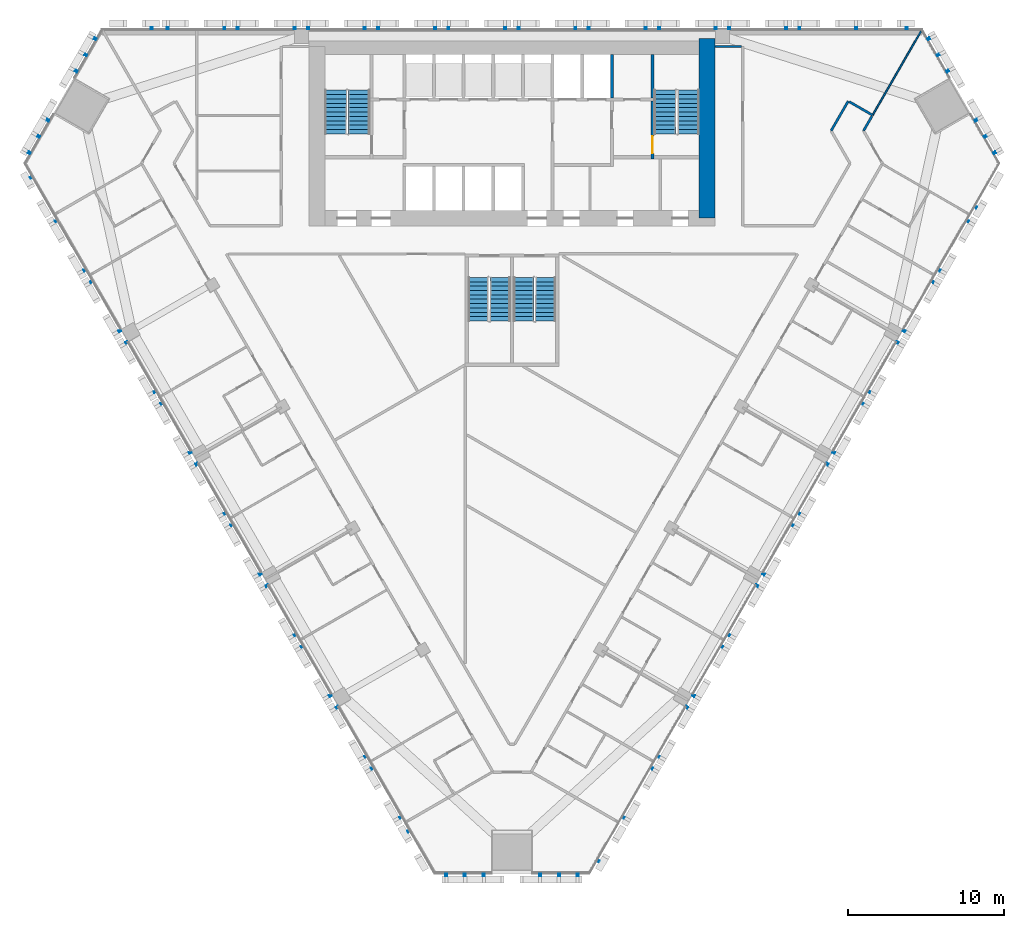
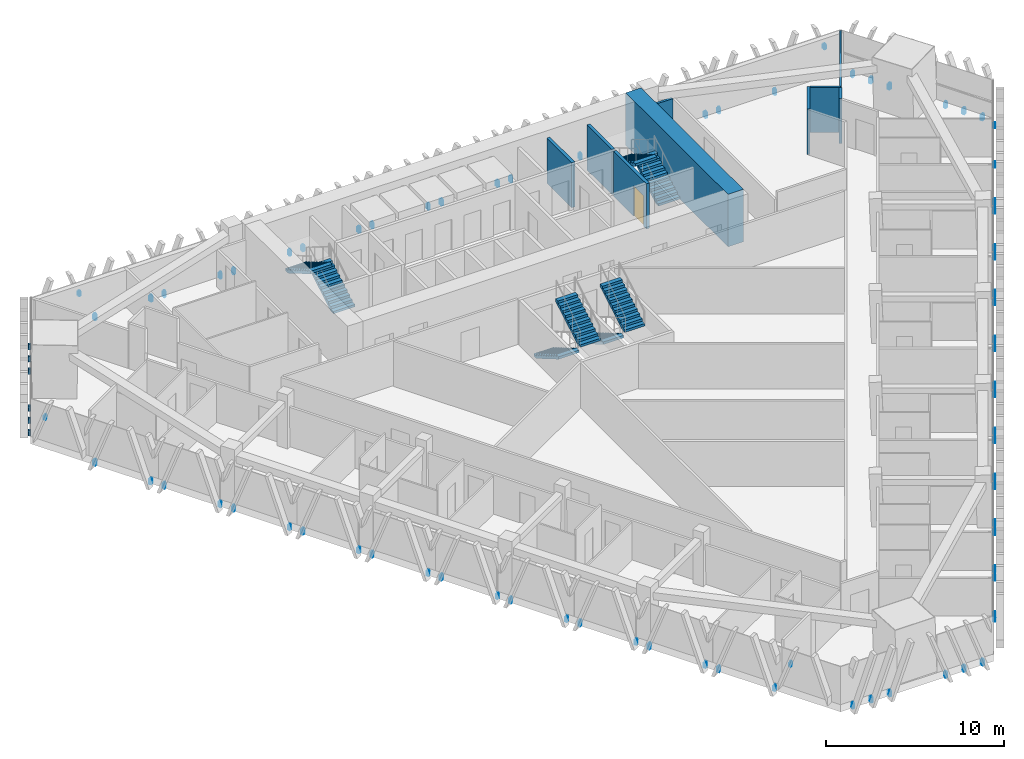
# One storey, part 14 of 17: 9 walls, 8 stair flights, 6 discrete accessories, 1 door, 1 opening, 4 elements without a shape of their own.
"""IFC4 building model written with IfcOpenShell, lengths in metres."""

from ifc_helpers import new_model, si_unit, direction, frame, frame_2d, origin, place, context, subcontext, project, spatial, polyline, rectangle, outline, extrude, source, transform, mapped, material, layer, layer_set, type_object, element, fill, aggregate, save


model = new_model("IFC4")

# Units and contexts
model_context = context("Model", 3, precision=1e-05, world=origin(), true_north=direction((0.0, 1.0)))
body_context = subcontext(model_context, "Body", "Model", "MODEL_VIEW")
ifc_project = project(units=[si_unit("LENGTHUNIT", "METRE"), si_unit("AREAUNIT", "SQUARE_METRE"), si_unit("VOLUMEUNIT", "CUBIC_METRE"), si_unit("PLANEANGLEUNIT", "RADIAN"), si_unit("MASSUNIT", "GRAM", prefix="KILO")], contexts=[model_context])

# Site, building, storey
site_placement = place(None, origin())
site = spatial("IfcSite", under=ifc_project, at=site_placement, CompositionType="ELEMENT")
building_placement = place(site_placement, origin())
building = spatial("IfcBuilding", under=site, at=building_placement, Name="Altiplano Prism Tower", CompositionType="ELEMENT")
storey_placement = place(building_placement, frame((0.0, 0.0, 30.60009765625)))
storey = spatial("IfcBuildingStorey", under=building, at=storey_placement, Name="L06", CompositionType="ELEMENT", Elevation=30.60009765625)

# Walls
ifc_material_1 = material(Name="Concrete C70/85", Category="concrete")
ifc_layer_1 = layer(ifc_material_1, 1.0)
ifc_layer_set_1 = layer_set([ifc_layer_1], Name="Concrete C70/85")
wall_type_1 = type_object("IfcWallType", Name="Core wall 1000", PredefinedType="SHEAR", material=ifc_layer_set_1)
wall_1_placement = place(storey_placement, frame((97.5, 92.89990234375, 0.0), z_axis=(0.0, 0.0, 1.0), x_axis=(0.0, 1.0, 0.0)))
element("IfcWall", 1, at=wall_1_placement, inside=storey, type_object=wall_type_1, Name="Core wall E L06", PredefinedType="SHEAR", context=body_context, shape_type="SweptSolid", body=[
    extrude(rectangle(XDim=11.5, YDim=1.0, at=frame_2d((5.75, 0.0))), origin(), (0.0, 0.0, 1.0), 3.599853515625),
])
ifc_material_2 = material(Name="Plasterboard on steel stud", Category="steel")
ifc_layer_2 = layer(ifc_material_2, 0.10009765625)
ifc_layer_set_2 = layer_set([ifc_layer_2], Name="Plasterboard on steel stud")
wall_type_2 = type_object("IfcWallType", Name="Partition 100 wet", PredefinedType="PARTITIONING", material=ifc_layer_set_2)
wall_2_placement = place(storey_placement, frame((111.232421875, 104.89990234375, 0.0), z_axis=(0.0, 0.0, 1.0), x_axis=(-0.500004896655, -0.866022576681, 0.0)))
element("IfcWall", 2, at=wall_2_placement, inside=storey, type_object=wall_type_2, Name="Partition P03 L06 086", PredefinedType="PARTITIONING", context=body_context, shape_type="SweptSolid", body=[
    extrude(rectangle(XDim=6.2353515625, YDim=0.10009765625, at=frame_2d((3.11767578125, 0.0))), origin(), (0.0, 0.0, 1.0), 2.599853515625),
])
ifc_layer_3 = layer(ifc_material_2, 0.14990234375)
ifc_layer_set_3 = layer_set([ifc_layer_3], Name="Plasterboard on steel stud")
wall_type_3 = type_object("IfcWallType", Name="Partition 150 corridor", PredefinedType="PARTITIONING", material=ifc_layer_set_3)
wall_3_placement = place(storey_placement, frame((107.537353515625, 98.5, 0.0), z_axis=(0.0, 0.0, 1.0), x_axis=(0.499957341738, 0.866050031143, 0.0)))
element("IfcWall", 3, at=wall_3_placement, inside=storey, type_object=wall_type_3, Name="Partition P06 L06 014", PredefinedType="PARTITIONING", context=body_context, shape_type="SweptSolid", body=[
    extrude(rectangle(XDim=1.07958984375, YDim=0.14990234375, at=frame_2d((0.539794921875, 0.0))), origin(), (0.0, 0.0, 1.0), 3.099853515625),
])
wall_4_placement = place(storey_placement, frame((108.11474609375, 99.5, 0.0), z_axis=(0.0, 0.0, 1.0), x_axis=(-0.866013532718, 0.500020560727, 0.0)))
element("IfcWall", 4, at=wall_4_placement, inside=storey, type_object=wall_type_3, Name="Partition P06 L06 015", PredefinedType="PARTITIONING", context=body_context, shape_type="SweptSolid", body=[
    extrude(rectangle(XDim=1.72509765625, YDim=0.14990234375, at=frame_2d((0.862548828125, 0.0))), origin(), (0.0, 0.0, 1.0), 3.099853515625),
])
wall_5_placement = place(storey_placement, frame((106.5556640625, 100.39990234375, 0.0), z_axis=(0.0, 0.0, 1.0), x_axis=(-0.500005024956, -0.866022502605, 0.0)))
element("IfcWall", 5, at=wall_5_placement, inside=storey, type_object=wall_type_3, Name="Partition P06 L06 016", PredefinedType="PARTITIONING", context=body_context, shape_type="SweptSolid", body=[
    extrude(rectangle(XDim=2.19384765625, YDim=0.14990234375, at=frame_2d((1.096923828125, 0.0))), origin(), (0.0, 0.0, 1.0), 3.099853515625),
])
wall_6_placement = place(storey_placement, frame((99.72509765625, 103.89990234375, 0.0), z_axis=(0.0, 0.0, 1.0), x_axis=(-1.0, 0.0, 0.0)))
element("IfcWall", 6, at=wall_6_placement, inside=storey, type_object=wall_type_3, Name="Partition P06 L06 021", PredefinedType="PARTITIONING", context=body_context, shape_type="SweptSolid", body=[
    extrude(rectangle(XDim=1.72509765625, YDim=0.14990234375, at=frame_2d((0.862548828125, 0.0))), origin(), (0.0, 0.0, 1.0), 2.599853515625),
])
ifc_material_3 = material(Name="Concrete C60/75", Category="concrete")
ifc_layer_4 = layer(ifc_material_3, 0.199951171875)
ifc_layer_set_4 = layer_set([ifc_layer_4], Name="Concrete C60/75")
wall_type_4 = type_object("IfcWallType", Name="Shaft wall 200", PredefinedType="SOLIDWALL", material=ifc_layer_set_4)
wall_7_placement = place(storey_placement, frame((91.39990234375, 100.60009765625, 0.0), z_axis=(0.0, 0.0, 1.0), x_axis=(0.0, 1.0, 0.0)))
element("IfcWall", 7, at=wall_7_placement, inside=storey, type_object=wall_type_4, Name="Shaft wall L06", PredefinedType="SOLIDWALL", context=body_context, shape_type="SweptSolid", body=[
    extrude(rectangle(XDim=2.7998046875, YDim=0.199951171875, at=frame_2d((1.39990234375, 0.0))), origin(), (0.0, 0.0, 1.0), 3.099853515625),
])

# Wall, opening, door
ifc_layer_5 = layer(ifc_material_3, 0.199951171875)
ifc_layer_set_5 = layer_set([ifc_layer_5], Name="Concrete C60/75")
wall_type_5 = type_object("IfcWallType", Name="Stair wall 200", PredefinedType="SOLIDWALL", material=ifc_layer_set_5)
wall_8_placement = place(storey_placement, frame((94.0, 96.699951171875, 0.0), z_axis=(0.0, 0.0, 1.0), x_axis=(0.0, 1.0, 0.0)))
wall_8 = element("IfcWall", 8, at=wall_8_placement, inside=storey, type_object=wall_type_5, Name="Stair wall L06", PredefinedType="SOLIDWALL", context=body_context, shape_type="SweptSolid", body=[
    extrude(rectangle(XDim=3.699951171875, YDim=0.199951171875, at=frame_2d((1.85009765625, 0.0))), origin(), (0.0, 0.0, 1.0), 3.099853515625),
])
opening_placement = place(wall_8_placement, frame((0.35009765625, 0.0, 0.0)))
opening = element("IfcOpeningElement", 9, at=opening_placement, cuts=wall_8, Name="Opening D2669", PredefinedType="OPENING", context=body_context, shape_type="SweptSolid", body=[
    extrude(rectangle(XDim=1.10009765625, YDim=2.10009765625, at=frame_2d((0.550048828125, 1.050048828125))), frame((0.0, 0.1103515625, 0.0), z_axis=(0.0, -1.0, 0.0), x_axis=(1.0, 0.0, 0.0)), (0.0, 0.0, 1.0), 0.220947265625),
])
ifc_material_4 = material(Name="Fire-rated steel door", Category="steel")
door_type = type_object("IfcDoorType", Name="Stair fire door 1100 x 2100", OperationType="NOTDEFINED", PredefinedType="NOTDEFINED", material=ifc_material_4)
door_placement = place(opening_placement, origin())
door = element("IfcDoor", 10, at=door_placement, inside=storey, type_object=door_type, Name="Stair fire door D2669", OperationType="SINGLE_SWING_LEFT", OverallHeight=2.10009765625, OverallWidth=1.10009765625, PredefinedType="NOTDEFINED", context=body_context, shape_type="SweptSolid", body=[
    extrude(rectangle(XDim=1.10009765625, YDim=2.10009765625, at=frame_2d((0.550048828125, 1.050048828125))), frame((0.0, 0.02490234375, 0.0), z_axis=(0.0, -1.0, 0.0), x_axis=(1.0, 0.0, 0.0)), (0.0, 0.0, 1.0), 0.050048828125),
])
fill(opening, door)

# Wall
wall_9_placement = place(storey_placement, frame((94.0, 100.60009765625, 0.0), z_axis=(0.0, 0.0, 1.0), x_axis=(0.0, 1.0, 0.0)))
element("IfcWall", 11, at=wall_9_placement, inside=storey, type_object=wall_type_5, Name="Stair wall L06", PredefinedType="SOLIDWALL", context=body_context, shape_type="SweptSolid", body=[
    extrude(rectangle(XDim=2.7998046875, YDim=0.199951171875, at=frame_2d((1.39990234375, 0.0))), origin(), (0.0, 0.0, 1.0), 3.099853515625),
])

# Stair, stair flights
ifc_material_5 = material(Name="Concrete C40/50", Category="concrete")
stair_type_1 = type_object("IfcStairType", Name="Exit stair 1400", PredefinedType="HALF_TURN_STAIR", material=ifc_material_5)
stair_1_placement = place(storey_placement, origin())
stair_1 = element("IfcStair", 12, at=stair_1_placement, inside=storey, type_object=stair_type_1, Name="L06 Exit Stair 1", PredefinedType="HALF_TURN_STAIR")
stair_flight_type = type_object("IfcStairFlightType", Name="Stair flight concrete 150", PredefinedType="STRAIGHT", material=ifc_material_5)
stair_flight_1_placement = place(storey_placement, frame((75.199951171875, 98.300048828125, 0.0), z_axis=(0.0, 0.0, 1.0), x_axis=(0.0, 1.0, 0.0)))
stair_flight_1 = element("IfcStairFlight", 13, at=stair_flight_1_placement, type_object=stair_flight_type, Name="ST1 flight 1", NumberOfRisers=11, NumberOfTreads=10, PredefinedType="STRAIGHT", RiserHeight=0.163636364, TreadLength=0.28, context=body_context, shape_type="SweptSolid", body=[
    extrude(outline(polyline([(0.0, 0.0), (0.0, 0.16357421875), (0.280029296875, 0.16357421875), (0.280029296875, 0.327392578125), (0.56005859375, 0.327392578125), (0.56005859375, 0.490966796875), (0.840087890625, 0.490966796875), (0.840087890625, 0.654541015625), (1.1201171875, 0.654541015625), (1.1201171875, 0.818115234375), (1.39990234375, 0.818115234375), (1.39990234375, 0.98193359375), (1.679931640625, 0.98193359375), (1.679931640625, 1.1455078125), (1.9599609375, 1.1455078125), (1.9599609375, 1.30908203125), (2.239990234375, 1.30908203125), (2.239990234375, 1.47265625), (2.52001953125, 1.47265625), (2.52001953125, 1.636474609375), (2.800048828125, 1.636474609375), (2.800048828125, 1.800048828125), (2.800048828125, 1.462646484375), (0.297119140625, 0.0), (0.0, 0.0)])), frame((0.0, 0.699951171875, 0.0), z_axis=(0.0, -1.0, 0.0), x_axis=(1.0, 0.0, 0.0)), (0.0, 0.0, 1.0), 1.39990234375),
])
stair_flight_2_placement = place(storey_placement, frame((73.699951171875, 101.10009765625, 1.7998046875), z_axis=(0.0, 0.0, 1.0), x_axis=(0.0, -1.0, 0.0)))
stair_flight_2 = element("IfcStairFlight", 14, at=stair_flight_2_placement, type_object=stair_flight_type, Name="ST1 flight 2", NumberOfRisers=11, NumberOfTreads=10, PredefinedType="STRAIGHT", RiserHeight=0.163636364, TreadLength=0.28, context=body_context, shape_type="SweptSolid", body=[
    extrude(outline(polyline([(0.0, 0.0), (0.0, 0.16357421875), (0.280029296875, 0.16357421875), (0.280029296875, 0.327392578125), (0.56005859375, 0.327392578125), (0.56005859375, 0.490966796875), (0.840087890625, 0.490966796875), (0.840087890625, 0.654541015625), (1.1201171875, 0.654541015625), (1.1201171875, 0.818115234375), (1.39990234375, 0.818115234375), (1.39990234375, 0.98193359375), (1.679931640625, 0.98193359375), (1.679931640625, 1.1455078125), (1.9599609375, 1.1455078125), (1.9599609375, 1.30908203125), (2.239990234375, 1.30908203125), (2.239990234375, 1.47265625), (2.52001953125, 1.47265625), (2.52001953125, 1.636474609375), (2.800048828125, 1.636474609375), (2.800048828125, 1.800048828125), (2.800048828125, 1.462646484375), (0.297119140625, 0.0), (0.0, 0.0)])), frame((0.0, 0.699951171875, 0.0), z_axis=(0.0, -1.0, 0.0), x_axis=(1.0, 0.0, 0.0)), (0.0, 0.0, 1.0), 1.39990234375),
])
aggregate(stair_1, [stair_flight_1, stair_flight_2])

stair_2_placement = place(storey_placement, origin())
stair_2 = element("IfcStair", 15, at=stair_2_placement, inside=storey, type_object=stair_type_1, Name="L06 Exit Stair 2", PredefinedType="HALF_TURN_STAIR")
stair_flight_3_placement = place(storey_placement, frame((96.300048828125, 98.300048828125, 0.0), z_axis=(0.0, 0.0, 1.0), x_axis=(0.0, 1.0, 0.0)))
stair_flight_3 = element("IfcStairFlight", 16, at=stair_flight_3_placement, type_object=stair_flight_type, Name="ST2 flight 1", NumberOfRisers=11, NumberOfTreads=10, PredefinedType="STRAIGHT", RiserHeight=0.163636364, TreadLength=0.28, context=body_context, shape_type="SweptSolid", body=[
    extrude(outline(polyline([(0.0, 0.0), (0.0, 0.16357421875), (0.280029296875, 0.16357421875), (0.280029296875, 0.327392578125), (0.56005859375, 0.327392578125), (0.56005859375, 0.490966796875), (0.840087890625, 0.490966796875), (0.840087890625, 0.654541015625), (1.1201171875, 0.654541015625), (1.1201171875, 0.818115234375), (1.39990234375, 0.818115234375), (1.39990234375, 0.98193359375), (1.679931640625, 0.98193359375), (1.679931640625, 1.1455078125), (1.9599609375, 1.1455078125), (1.9599609375, 1.30908203125), (2.239990234375, 1.30908203125), (2.239990234375, 1.47265625), (2.52001953125, 1.47265625), (2.52001953125, 1.636474609375), (2.800048828125, 1.636474609375), (2.800048828125, 1.800048828125), (2.800048828125, 1.462646484375), (0.297119140625, 0.0), (0.0, 0.0)])), frame((0.0, 0.699951171875, 0.0), z_axis=(0.0, -1.0, 0.0), x_axis=(1.0, 0.0, 0.0)), (0.0, 0.0, 1.0), 1.39990234375),
])
stair_flight_4_placement = place(storey_placement, frame((94.800048828125, 101.10009765625, 1.7998046875), z_axis=(0.0, 0.0, 1.0), x_axis=(0.0, -1.0, 0.0)))
stair_flight_4 = element("IfcStairFlight", 17, at=stair_flight_4_placement, type_object=stair_flight_type, Name="ST2 flight 2", NumberOfRisers=11, NumberOfTreads=10, PredefinedType="STRAIGHT", RiserHeight=0.163636364, TreadLength=0.28, context=body_context, shape_type="SweptSolid", body=[
    extrude(outline(polyline([(0.0, 0.0), (0.0, 0.16357421875), (0.280029296875, 0.16357421875), (0.280029296875, 0.327392578125), (0.56005859375, 0.327392578125), (0.56005859375, 0.490966796875), (0.840087890625, 0.490966796875), (0.840087890625, 0.654541015625), (1.1201171875, 0.654541015625), (1.1201171875, 0.818115234375), (1.39990234375, 0.818115234375), (1.39990234375, 0.98193359375), (1.679931640625, 0.98193359375), (1.679931640625, 1.1455078125), (1.9599609375, 1.1455078125), (1.9599609375, 1.30908203125), (2.239990234375, 1.30908203125), (2.239990234375, 1.47265625), (2.52001953125, 1.47265625), (2.52001953125, 1.636474609375), (2.800048828125, 1.636474609375), (2.800048828125, 1.800048828125), (2.800048828125, 1.462646484375), (0.297119140625, 0.0), (0.0, 0.0)])), frame((0.0, 0.699951171875, 0.0), z_axis=(0.0, -1.0, 0.0), x_axis=(1.0, 0.0, 0.0)), (0.0, 0.0, 1.0), 1.39990234375),
])
aggregate(stair_2, [stair_flight_3, stair_flight_4])

stair_type_2 = type_object("IfcStairType", Name="Exit stair 1300", PredefinedType="HALF_TURN_STAIR", material=ifc_material_5)
stair_3_placement = place(storey_placement, origin())
stair_3 = element("IfcStair", 18, at=stair_3_placement, inside=storey, type_object=stair_type_2, Name="L06 Exit Stair 3A", PredefinedType="HALF_TURN_STAIR")
stair_flight_5_placement = place(storey_placement, frame((82.85009765625, 89.10009765625, 0.0), z_axis=(0.0, 0.0, 1.0), x_axis=(0.0, -1.0, 0.0)))
stair_flight_5 = element("IfcStairFlight", 19, at=stair_flight_5_placement, type_object=stair_flight_type, Name="ST3A flight 1", NumberOfRisers=11, NumberOfTreads=10, PredefinedType="STRAIGHT", RiserHeight=0.163636364, TreadLength=0.28, context=body_context, shape_type="SweptSolid", body=[
    extrude(outline(polyline([(0.0, 0.0), (0.0, 0.16357421875), (0.280029296875, 0.16357421875), (0.280029296875, 0.327392578125), (0.56005859375, 0.327392578125), (0.56005859375, 0.490966796875), (0.840087890625, 0.490966796875), (0.840087890625, 0.654541015625), (1.1201171875, 0.654541015625), (1.1201171875, 0.818115234375), (1.39990234375, 0.818115234375), (1.39990234375, 0.98193359375), (1.679931640625, 0.98193359375), (1.679931640625, 1.1455078125), (1.9599609375, 1.1455078125), (1.9599609375, 1.30908203125), (2.239990234375, 1.30908203125), (2.239990234375, 1.47265625), (2.52001953125, 1.47265625), (2.52001953125, 1.636474609375), (2.800048828125, 1.636474609375), (2.800048828125, 1.800048828125), (2.800048828125, 1.462646484375), (0.297119140625, 0.0), (0.0, 0.0)])), frame((0.0, 0.64990234375, 0.0), z_axis=(0.0, -1.0, 0.0), x_axis=(1.0, 0.0, 0.0)), (0.0, 0.0, 1.0), 1.300048828125),
])
stair_flight_6_placement = place(storey_placement, frame((84.25, 86.300048828125, 1.7998046875), z_axis=(0.0, 0.0, 1.0), x_axis=(0.0, 1.0, 0.0)))
stair_flight_6 = element("IfcStairFlight", 20, at=stair_flight_6_placement, type_object=stair_flight_type, Name="ST3A flight 2", NumberOfRisers=11, NumberOfTreads=10, PredefinedType="STRAIGHT", RiserHeight=0.163636364, TreadLength=0.28, context=body_context, shape_type="SweptSolid", body=[
    extrude(outline(polyline([(0.0, 0.0), (0.0, 0.16357421875), (0.280029296875, 0.16357421875), (0.280029296875, 0.327392578125), (0.56005859375, 0.327392578125), (0.56005859375, 0.490966796875), (0.840087890625, 0.490966796875), (0.840087890625, 0.654541015625), (1.1201171875, 0.654541015625), (1.1201171875, 0.818115234375), (1.39990234375, 0.818115234375), (1.39990234375, 0.98193359375), (1.679931640625, 0.98193359375), (1.679931640625, 1.1455078125), (1.9599609375, 1.1455078125), (1.9599609375, 1.30908203125), (2.239990234375, 1.30908203125), (2.239990234375, 1.47265625), (2.52001953125, 1.47265625), (2.52001953125, 1.636474609375), (2.800048828125, 1.636474609375), (2.800048828125, 1.800048828125), (2.800048828125, 1.462646484375), (0.297119140625, 0.0), (0.0, 0.0)])), frame((0.0, 0.64990234375, 0.0), z_axis=(0.0, -1.0, 0.0), x_axis=(1.0, 0.0, 0.0)), (0.0, 0.0, 1.0), 1.300048828125),
])
aggregate(stair_3, [stair_flight_5, stair_flight_6])

stair_4_placement = place(storey_placement, origin())
stair_4 = element("IfcStair", 21, at=stair_4_placement, inside=storey, type_object=stair_type_2, Name="L06 Exit Stair 3B", PredefinedType="HALF_TURN_STAIR")
stair_flight_7_placement = place(storey_placement, frame((85.75, 89.10009765625, 0.0), z_axis=(0.0, 0.0, 1.0), x_axis=(0.0, -1.0, 0.0)))
stair_flight_7 = element("IfcStairFlight", 22, at=stair_flight_7_placement, type_object=stair_flight_type, Name="ST3B flight 1", NumberOfRisers=11, NumberOfTreads=10, PredefinedType="STRAIGHT", RiserHeight=0.163636364, TreadLength=0.28, context=body_context, shape_type="SweptSolid", body=[
    extrude(outline(polyline([(0.0, 0.0), (0.0, 0.16357421875), (0.280029296875, 0.16357421875), (0.280029296875, 0.327392578125), (0.56005859375, 0.327392578125), (0.56005859375, 0.490966796875), (0.840087890625, 0.490966796875), (0.840087890625, 0.654541015625), (1.1201171875, 0.654541015625), (1.1201171875, 0.818115234375), (1.39990234375, 0.818115234375), (1.39990234375, 0.98193359375), (1.679931640625, 0.98193359375), (1.679931640625, 1.1455078125), (1.9599609375, 1.1455078125), (1.9599609375, 1.30908203125), (2.239990234375, 1.30908203125), (2.239990234375, 1.47265625), (2.52001953125, 1.47265625), (2.52001953125, 1.636474609375), (2.800048828125, 1.636474609375), (2.800048828125, 1.800048828125), (2.800048828125, 1.462646484375), (0.297119140625, 0.0), (0.0, 0.0)])), frame((0.0, 0.64990234375, 0.0), z_axis=(0.0, -1.0, 0.0), x_axis=(1.0, 0.0, 0.0)), (0.0, 0.0, 1.0), 1.300048828125),
])
stair_flight_8_placement = place(storey_placement, frame((87.14990234375, 86.300048828125, 1.7998046875), z_axis=(0.0, 0.0, 1.0), x_axis=(0.0, 1.0, 0.0)))
stair_flight_8 = element("IfcStairFlight", 23, at=stair_flight_8_placement, type_object=stair_flight_type, Name="ST3B flight 2", NumberOfRisers=11, NumberOfTreads=10, PredefinedType="STRAIGHT", RiserHeight=0.163636364, TreadLength=0.28, context=body_context, shape_type="SweptSolid", body=[
    extrude(outline(polyline([(0.0, 0.0), (0.0, 0.16357421875), (0.280029296875, 0.16357421875), (0.280029296875, 0.327392578125), (0.56005859375, 0.327392578125), (0.56005859375, 0.490966796875), (0.840087890625, 0.490966796875), (0.840087890625, 0.654541015625), (1.1201171875, 0.654541015625), (1.1201171875, 0.818115234375), (1.39990234375, 0.818115234375), (1.39990234375, 0.98193359375), (1.679931640625, 0.98193359375), (1.679931640625, 1.1455078125), (1.9599609375, 1.1455078125), (1.9599609375, 1.30908203125), (2.239990234375, 1.30908203125), (2.239990234375, 1.47265625), (2.52001953125, 1.47265625), (2.52001953125, 1.636474609375), (2.800048828125, 1.636474609375), (2.800048828125, 1.800048828125), (2.800048828125, 1.462646484375), (0.297119140625, 0.0), (0.0, 0.0)])), frame((0.0, 0.64990234375, 0.0), z_axis=(0.0, -1.0, 0.0), x_axis=(1.0, 0.0, 0.0)), (0.0, 0.0, 1.0), 1.300048828125),
])
aggregate(stair_4, [stair_flight_7, stair_flight_8])

# Discrete accessories
ifc_material_6 = material(Name="Stainless steel", Category="steel")
discrete_accessory_type = type_object("IfcDiscreteAccessoryType", Name="Stone fin fixing prongs", PredefinedType="USERDEFINED", material=ifc_material_6)
shared_shape_1 = source(origin(), body_context, "Body", "SweptSolid", [
    extrude(outline(polyline([(-1.16162109375, 2.07177734375), (-1.041748046875, 2.07177734375), (-1.041748046875, 2.37158203125), (-1.16162109375, 2.37158203125), (-1.16162109375, 2.07177734375)])), frame((0.0, 0.0, 0.0), z_axis=(0.0, -1.0, 0.0), x_axis=(1.0, 0.0, 0.0)), (0.0, 0.0, 1.0), 0.14990234375),
])
shared_shape_2 = source(origin(), body_context, "Body", "SweptSolid", [
    extrude(outline(polyline([(-1.87939453125, 0.06005859375), (-1.75927734375, 0.06005859375), (-1.75927734375, 0.43994140625), (-1.87939453125, 0.43994140625), (-1.87939453125, 0.06005859375)])), frame((0.0, 0.0, 0.0), z_axis=(0.0, -1.0, 0.0), x_axis=(1.0, 0.0, 0.0)), (0.0, 0.0, 1.0), 0.14990234375),
    extrude(outline(polyline([(1.75927734375, 0.06005859375), (1.87939453125, 0.06005859375), (1.87939453125, 0.43994140625), (1.75927734375, 0.43994140625), (1.75927734375, 0.06005859375)])), frame((0.0, 0.0, 0.0), z_axis=(0.0, -1.0, 0.0), x_axis=(1.0, 0.0, 0.0)), (0.0, 0.0, 1.0), 0.14990234375),
])
discrete_accessory_1_placement = place(storey_placement, origin())
element("IfcDiscreteAccessory", 24, at=discrete_accessory_1_placement, inside=storey, type_object=discrete_accessory_type, Name="Fin fixings L06 north face", ObjectType="BRACKET", PredefinedType="USERDEFINED", context=body_context, shape_type="MappedRepresentation", body=[
    mapped(shared_shape_1, transform((109.195068359375, 105.0, -0.5), x_axis=(-1.0, 0.0, 0.0), y_axis=(0.0, -1.0, 0.0), z_axis=(0.0, 0.0, 1.0))),
    mapped(shared_shape_2, transform((105.25, 105.0, -0.5), x_axis=(-1.0, 0.0, 0.0), y_axis=(0.0, -1.0, 0.0), z_axis=(0.0, 0.0, 1.0))),
    mapped(shared_shape_2, transform((100.75, 105.0, -0.5), x_axis=(-1.0, 0.0, 0.0), y_axis=(0.0, -1.0, 0.0), z_axis=(0.0, 0.0, 1.0))),
    mapped(shared_shape_2, transform((96.25, 105.0, -0.5), x_axis=(-1.0, 0.0, 0.0), y_axis=(0.0, -1.0, 0.0), z_axis=(0.0, 0.0, 1.0))),
    mapped(shared_shape_2, transform((91.75, 105.0, -0.5), x_axis=(-1.0, 0.0, 0.0), y_axis=(0.0, -1.0, 0.0), z_axis=(0.0, 0.0, 1.0))),
    mapped(shared_shape_2, transform((87.25, 105.0, -0.5), x_axis=(-1.0, 0.0, 0.0), y_axis=(0.0, -1.0, 0.0), z_axis=(0.0, 0.0, 1.0))),
    mapped(shared_shape_2, transform((82.75, 105.0, -0.5), x_axis=(-1.0, 0.0, 0.0), y_axis=(0.0, -1.0, 0.0), z_axis=(0.0, 0.0, 1.0))),
    mapped(shared_shape_2, transform((78.25, 105.0, -0.5), x_axis=(-1.0, 0.0, 0.0), y_axis=(0.0, -1.0, 0.0), z_axis=(0.0, 0.0, 1.0))),
    mapped(shared_shape_2, transform((73.75, 105.0, -0.5), x_axis=(-1.0, 0.0, 0.0), y_axis=(0.0, -1.0, 0.0), z_axis=(0.0, 0.0, 1.0))),
    mapped(shared_shape_2, transform((69.25, 105.0, -0.5), x_axis=(-1.0, 0.0, 0.0), y_axis=(0.0, -1.0, 0.0), z_axis=(0.0, 0.0, 1.0))),
    mapped(shared_shape_2, transform((64.75, 105.0, -0.5), x_axis=(-1.0, 0.0, 0.0), y_axis=(0.0, -1.0, 0.0), z_axis=(0.0, 0.0, 1.0))),
    mapped(shared_shape_1, transform((60.804931640625, 105.0, -0.5), x_axis=(-1.0, 0.0, 0.0), y_axis=(0.0, -1.0, 0.0), z_axis=(0.0, 0.0, 1.0))),
])
discrete_accessory_2_placement = place(storey_placement, origin())
element("IfcDiscreteAccessory", 25, at=discrete_accessory_2_placement, inside=storey, type_object=discrete_accessory_type, Name="Fin fixings L06 south-west face", ObjectType="BRACKET", PredefinedType="USERDEFINED", context=body_context, shape_type="MappedRepresentation", body=[
    mapped(shared_shape_1, transform((54.7958984375, 94.592041015625, -0.5), x_axis=(0.50000000184, -0.866025402722, 0.0), y_axis=(0.866025402722, 0.50000000184, 0.0), z_axis=(0.0, 0.0, 1.0))),
    mapped(shared_shape_2, transform((56.7685546875, 91.175537109375, -0.5), x_axis=(0.50000000184, -0.866025402722, 0.0), y_axis=(0.866025402722, 0.50000000184, 0.0), z_axis=(0.0, 0.0, 1.0))),
    mapped(shared_shape_2, transform((59.0185546875, 87.278564453125, -0.5), x_axis=(0.50000000184, -0.866025402722, 0.0), y_axis=(0.866025402722, 0.50000000184, 0.0), z_axis=(0.0, 0.0, 1.0))),
    mapped(shared_shape_2, transform((61.2685546875, 83.38134765625, -0.5), x_axis=(0.50000000184, -0.866025402722, 0.0), y_axis=(0.866025402722, 0.50000000184, 0.0), z_axis=(0.0, 0.0, 1.0))),
    mapped(shared_shape_2, transform((63.5185546875, 79.484130859375, -0.5), x_axis=(0.50000000184, -0.866025402722, 0.0), y_axis=(0.866025402722, 0.50000000184, 0.0), z_axis=(0.0, 0.0, 1.0))),
    mapped(shared_shape_2, transform((65.7685546875, 75.587158203125, -0.5), x_axis=(0.50000000184, -0.866025402722, 0.0), y_axis=(0.866025402722, 0.50000000184, 0.0), z_axis=(0.0, 0.0, 1.0))),
    mapped(shared_shape_2, transform((68.0185546875, 71.68994140625, -0.5), x_axis=(0.50000000184, -0.866025402722, 0.0), y_axis=(0.866025402722, 0.50000000184, 0.0), z_axis=(0.0, 0.0, 1.0))),
    mapped(shared_shape_2, transform((70.2685546875, 67.79296875, -0.5), x_axis=(0.50000000184, -0.866025402722, 0.0), y_axis=(0.866025402722, 0.50000000184, 0.0), z_axis=(0.0, 0.0, 1.0))),
    mapped(shared_shape_2, transform((72.5185546875, 63.895751953125, -0.5), x_axis=(0.50000000184, -0.866025402722, 0.0), y_axis=(0.866025402722, 0.50000000184, 0.0), z_axis=(0.0, 0.0, 1.0))),
    mapped(shared_shape_2, transform((74.7685546875, 59.99853515625, -0.5), x_axis=(0.50000000184, -0.866025402722, 0.0), y_axis=(0.866025402722, 0.50000000184, 0.0), z_axis=(0.0, 0.0, 1.0))),
    mapped(shared_shape_2, transform((77.0185546875, 56.1015625, -0.5), x_axis=(0.50000000184, -0.866025402722, 0.0), y_axis=(0.866025402722, 0.50000000184, 0.0), z_axis=(0.0, 0.0, 1.0))),
    mapped(shared_shape_1, transform((78.990966796875, 52.68505859375, -0.5), x_axis=(0.50000000184, -0.866025402722, 0.0), y_axis=(0.866025402722, 0.50000000184, 0.0), z_axis=(0.0, 0.0, 1.0))),
])
discrete_accessory_3_placement = place(storey_placement, origin())
element("IfcDiscreteAccessory", 26, at=discrete_accessory_3_placement, inside=storey, type_object=discrete_accessory_type, Name="Fin fixings L06 south-east face", ObjectType="BRACKET", PredefinedType="USERDEFINED", context=body_context, shape_type="MappedRepresentation", body=[
    mapped(shared_shape_1, transform((91.009033203125, 52.68505859375, -0.5), x_axis=(0.50000000184, 0.866025402722, 0.0), y_axis=(-0.866025402722, 0.50000000184, 0.0), z_axis=(0.0, 0.0, 1.0))),
    mapped(shared_shape_2, transform((92.9814453125, 56.1015625, -0.5), x_axis=(0.50000000184, 0.866025402722, 0.0), y_axis=(-0.866025402722, 0.50000000184, 0.0), z_axis=(0.0, 0.0, 1.0))),
    mapped(shared_shape_2, transform((95.2314453125, 59.99853515625, -0.5), x_axis=(0.50000000184, 0.866025402722, 0.0), y_axis=(-0.866025402722, 0.50000000184, 0.0), z_axis=(0.0, 0.0, 1.0))),
    mapped(shared_shape_2, transform((97.4814453125, 63.895751953125, -0.5), x_axis=(0.50000000184, 0.866025402722, 0.0), y_axis=(-0.866025402722, 0.50000000184, 0.0), z_axis=(0.0, 0.0, 1.0))),
    mapped(shared_shape_2, transform((99.7314453125, 67.79296875, -0.5), x_axis=(0.50000000184, 0.866025402722, 0.0), y_axis=(-0.866025402722, 0.50000000184, 0.0), z_axis=(0.0, 0.0, 1.0))),
    mapped(shared_shape_2, transform((101.9814453125, 71.68994140625, -0.5), x_axis=(0.50000000184, 0.866025402722, 0.0), y_axis=(-0.866025402722, 0.50000000184, 0.0), z_axis=(0.0, 0.0, 1.0))),
    mapped(shared_shape_2, transform((104.2314453125, 75.587158203125, -0.5), x_axis=(0.50000000184, 0.866025402722, 0.0), y_axis=(-0.866025402722, 0.50000000184, 0.0), z_axis=(0.0, 0.0, 1.0))),
    mapped(shared_shape_2, transform((106.4814453125, 79.484130859375, -0.5), x_axis=(0.50000000184, 0.866025402722, 0.0), y_axis=(-0.866025402722, 0.50000000184, 0.0), z_axis=(0.0, 0.0, 1.0))),
    mapped(shared_shape_2, transform((108.7314453125, 83.38134765625, -0.5), x_axis=(0.50000000184, 0.866025402722, 0.0), y_axis=(-0.866025402722, 0.50000000184, 0.0), z_axis=(0.0, 0.0, 1.0))),
    mapped(shared_shape_2, transform((110.9814453125, 87.278564453125, -0.5), x_axis=(0.50000000184, 0.866025402722, 0.0), y_axis=(-0.866025402722, 0.50000000184, 0.0), z_axis=(0.0, 0.0, 1.0))),
    mapped(shared_shape_2, transform((113.2314453125, 91.175537109375, -0.5), x_axis=(0.50000000184, 0.866025402722, 0.0), y_axis=(-0.866025402722, 0.50000000184, 0.0), z_axis=(0.0, 0.0, 1.0))),
    mapped(shared_shape_1, transform((115.2041015625, 94.592041015625, -0.5), x_axis=(0.50000000184, 0.866025402722, 0.0), y_axis=(-0.866025402722, 0.50000000184, 0.0), z_axis=(0.0, 0.0, 1.0))),
])
shared_shape_3 = source(origin(), body_context, "Body", "SweptSolid", [
    extrude(outline(polyline([(-4.279296875, 0.06005859375), (-4.1591796875, 0.06005859375), (-4.1591796875, 0.43994140625), (-4.279296875, 0.43994140625), (-4.279296875, 0.06005859375)])), frame((0.0, 0.0, 0.0), z_axis=(0.0, -1.0, 0.0), x_axis=(1.0, 0.0, 0.0)), (0.0, 0.0, 1.0), 0.14990234375),
    extrude(outline(polyline([(-3.079345703125, 0.06005859375), (-2.959228515625, 0.06005859375), (-2.959228515625, 0.43994140625), (-3.079345703125, 0.43994140625), (-3.079345703125, 0.06005859375)])), frame((0.0, 0.0, 0.0), z_axis=(0.0, -1.0, 0.0), x_axis=(1.0, 0.0, 0.0)), (0.0, 0.0, 1.0), 0.14990234375),
    extrude(outline(polyline([(-1.87939453125, 0.06005859375), (-1.75927734375, 0.06005859375), (-1.75927734375, 0.43994140625), (-1.87939453125, 0.43994140625), (-1.87939453125, 0.06005859375)])), frame((0.0, 0.0, 0.0), z_axis=(0.0, -1.0, 0.0), x_axis=(1.0, 0.0, 0.0)), (0.0, 0.0, 1.0), 0.14990234375),
    extrude(outline(polyline([(1.75927734375, 0.06005859375), (1.87939453125, 0.06005859375), (1.87939453125, 0.43994140625), (1.75927734375, 0.43994140625), (1.75927734375, 0.06005859375)])), frame((0.0, 0.0, 0.0), z_axis=(0.0, -1.0, 0.0), x_axis=(1.0, 0.0, 0.0)), (0.0, 0.0, 1.0), 0.14990234375),
    extrude(outline(polyline([(2.959228515625, 0.06005859375), (3.079345703125, 0.06005859375), (3.079345703125, 0.43994140625), (2.959228515625, 0.43994140625), (2.959228515625, 0.06005859375)])), frame((0.0, 0.0, 0.0), z_axis=(0.0, -1.0, 0.0), x_axis=(1.0, 0.0, 0.0)), (0.0, 0.0, 1.0), 0.14990234375),
    extrude(outline(polyline([(4.1591796875, 0.06005859375), (4.279296875, 0.06005859375), (4.279296875, 0.43994140625), (4.1591796875, 0.43994140625), (4.1591796875, 0.06005859375)])), frame((0.0, 0.0, 0.0), z_axis=(0.0, -1.0, 0.0), x_axis=(1.0, 0.0, 0.0)), (0.0, 0.0, 1.0), 0.14990234375),
])
discrete_accessory_4_placement = place(storey_placement, origin())
element("IfcDiscreteAccessory", 27, at=discrete_accessory_4_placement, inside=storey, type_object=discrete_accessory_type, Name="Fin fixings L06 north-west chamfer", ObjectType="BRACKET", PredefinedType="USERDEFINED", context=body_context, shape_type="MappedRepresentation", body=[
    mapped(shared_shape_3, transform((56.229248046875, 100.703125, -0.5), x_axis=(-0.500000003023, -0.866025402039, 0.0), y_axis=(0.866025402039, -0.500000003023, 0.0), z_axis=(0.0, 0.0, 1.0))),
])
discrete_accessory_5_placement = place(storey_placement, origin())
element("IfcDiscreteAccessory", 28, at=discrete_accessory_5_placement, inside=storey, type_object=discrete_accessory_type, Name="Fin fixings L06 south chamfer", ObjectType="BRACKET", PredefinedType="USERDEFINED", context=body_context, shape_type="MappedRepresentation", body=[
    mapped(shared_shape_3, transform((85.0, 50.87060546875, -0.5), x_axis=(1.0, 0.0, 0.0), y_axis=(0.0, 1.0, 0.0), z_axis=(0.0, 0.0, 1.0))),
])
discrete_accessory_6_placement = place(storey_placement, origin())
element("IfcDiscreteAccessory", 29, at=discrete_accessory_6_placement, inside=storey, type_object=discrete_accessory_type, Name="Fin fixings L06 north-east chamfer", ObjectType="BRACKET", PredefinedType="USERDEFINED", context=body_context, shape_type="MappedRepresentation", body=[
    mapped(shared_shape_3, transform((113.770751953125, 100.703125, -0.5), x_axis=(-0.500000003023, 0.866025402039, 0.0), y_axis=(-0.866025402039, -0.500000003023, 0.0), z_axis=(0.0, 0.0, 1.0))),
])

save(model, "model.ifc")
